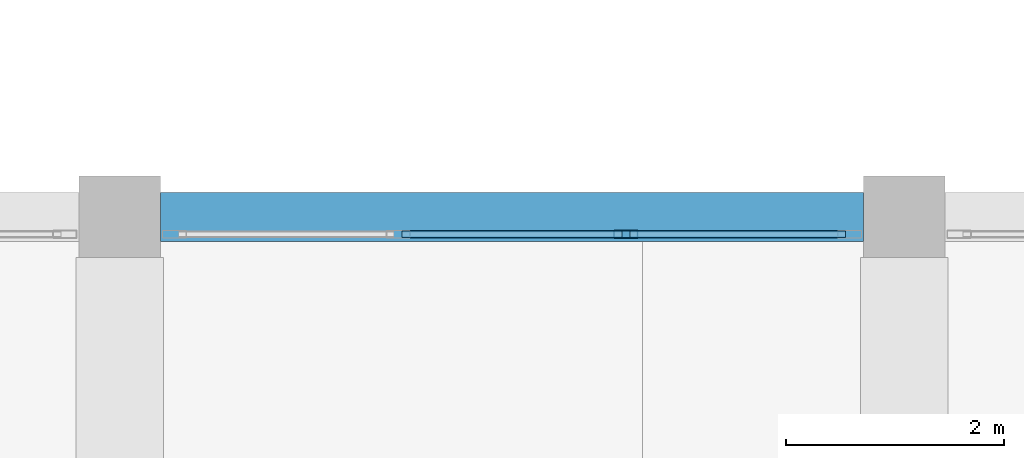
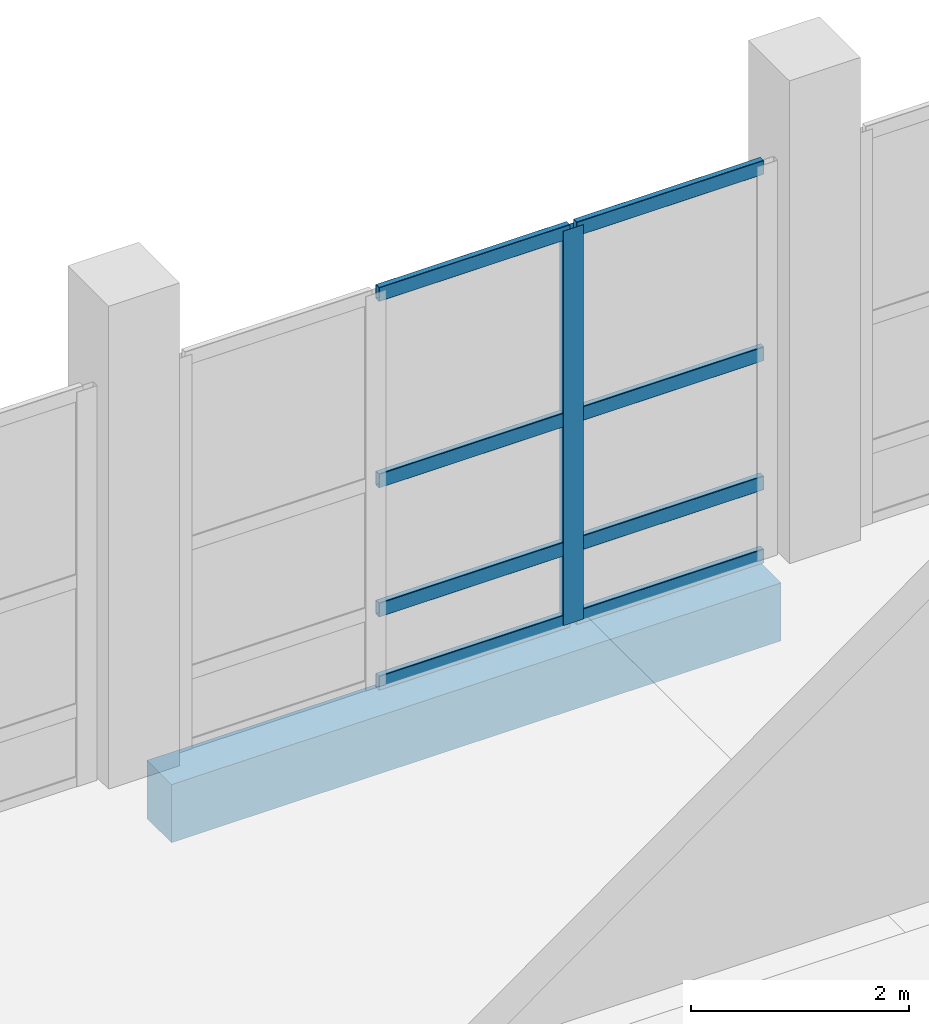
# One storey, part 24 of 137: 9 members, 1 beam, 1 element without a shape of its own.
"""IFC4 building model written with IfcOpenShell, lengths in metres."""

from ifc_helpers import new_model, si_unit, direction, frame, origin, origin_2d, place, context, subcontext, project, spatial, rectangle, hollow_rectangle, extrude, material, material_profile, profile_set, type_object, element, aggregate, save


model = new_model("IFC4")

# Units and contexts
model_context = context("Model", 3, precision=1e-05, world=origin(), true_north=direction((0.0, 1.0)))
body_context = subcontext(model_context, "Body", "Model", "MODEL_VIEW")
ifc_project = project(units=[si_unit("LENGTHUNIT", "METRE"), si_unit("AREAUNIT", "SQUARE_METRE"), si_unit("VOLUMEUNIT", "CUBIC_METRE"), si_unit("PLANEANGLEUNIT", "RADIAN"), si_unit("MASSUNIT", "GRAM", prefix="KILO")], contexts=[model_context])

# Site, building, storey
site_placement = place(None, origin())
site = spatial("IfcSite", under=ifc_project, at=site_placement, CompositionType="ELEMENT")
building_placement = place(site_placement, origin())
building = spatial("IfcBuilding", under=site, at=building_placement, Name="Kalmorath City Hall", CompositionType="ELEMENT")
storey_placement = place(building_placement, origin())
storey = spatial("IfcBuildingStorey", under=building, at=storey_placement, Name="L00", CompositionType="ELEMENT", Elevation=0.0)

# Beam
ifc_material_1 = material(Name="Concrete C40/50", Category="concrete")
ifc_material_profile_1 = material_profile(ifc_material_1, rectangle(XDim=0.449951171875, YDim=0.64990234375, at=origin_2d()), Name="RC-BM-450X650")
ifc_profile_set_1 = profile_set([ifc_material_profile_1], Name="Concrete C40/50")
beam_type = type_object("IfcBeamType", Name="Concrete spandrel beam 450x650", PredefinedType="SPANDREL", material=ifc_profile_set_1)
beam_placement = place(storey_placement, frame((57.97509765625, 43.199951171875, -0.62890625), z_axis=(1.0, 0.0, 0.0), x_axis=(0.0, 1.0, 0.0)))
element("IfcBeam", 1, at=beam_placement, inside=storey, type_object=beam_type, Name="L00 girder CB5 X9-10/7", PredefinedType="SPANDREL", context=body_context, shape_type="SweptSolid", body=[
    extrude(rectangle(XDim=0.449951171875, YDim=0.64990234375, at=origin_2d()), origin(), (0.0, 0.0, 1.0), 6.449951171875),
])

# Curtain wall, members
ifc_material_2 = material(Name="Anodised aluminium and laminated glass", Category="aluminium")
curtain_wall_type = type_object("IfcCurtainWallType", Name="Unitised hurricane curtain wall 6270x4411 M1800", PredefinedType="NOTDEFINED", material=ifc_material_2)
curtain_wall_placement = place(storey_placement, origin())
curtain_wall = element("IfcCurtainWall", 2, at=curtain_wall_placement, inside=storey, type_object=curtain_wall_type, Name="L00 curtain wall CW-63X44M18 #31", PredefinedType="NOTDEFINED")
ifc_material_3 = material(Name="Anodised aluminium framing", Category="aluminium")
ifc_material_profile_2 = material_profile(ifc_material_3, hollow_rectangle(XDim=0.074951171875, YDim=0.219970703125, WallThickness=0.00390625, InnerFilletRadius=0.00390625, OuterFilletRadius=0.008056640625, at=origin_2d()), Name="ALU-MUL-220X75X4")
ifc_profile_set_2 = profile_set([ifc_material_profile_2], Name="Anodised aluminium framing")
member_type_1 = type_object("IfcMemberType", Name="Curtain-wall primary mullion 220x75", PredefinedType="MULLION", material=ifc_profile_set_2)
member_1_placement = place(storey_placement, frame((62.2451171875, 43.0400390625, 0.0), z_axis=(0.0, 0.0, 1.0), x_axis=(0.0, 1.0, 0.0)))
member_1 = element("IfcMember", 3, at=member_1_placement, type_object=member_type_1, Name="CW-63X44M18 mullion 3", PredefinedType="MULLION", context=body_context, shape_type="SweptSolid", body=[
    extrude(hollow_rectangle(XDim=0.074951171875, YDim=0.219970703125, WallThickness=0.00390625, InnerFilletRadius=0.00390625, OuterFilletRadius=0.008056640625, at=origin_2d()), origin(), (0.0, 0.0, 1.0), 4.410888671875),
])
ifc_material_4 = material(Name="Anodised aluminium framing", Category="aluminium")
ifc_material_profile_3 = material_profile(ifc_material_4, hollow_rectangle(XDim=0.06494140625, YDim=0.159912109375, WallThickness=0.00390625, InnerFilletRadius=0.00390625, OuterFilletRadius=0.008056640625, at=origin_2d()), Name="ALU-TRN-160X65X4")
ifc_profile_set_3 = profile_set([ifc_material_profile_3], Name="Anodised aluminium framing")
member_type_2 = type_object("IfcMemberType", Name="Curtain-wall primary transom 160x65", PredefinedType="USERDEFINED", material=ifc_profile_set_3)
member_2_placement = place(storey_placement, frame((60.1923828125, 43.0400390625, 0.032470703125), z_axis=(1.0, 0.0, 0.0), x_axis=(0.0, 1.0, 0.0)))
member_2 = element("IfcMember", 4, at=member_2_placement, type_object=member_type_2, Name="CW-63X44M18 transom 2.1", ObjectType="TRANSOM", PredefinedType="USERDEFINED", context=body_context, shape_type="SweptSolid", body=[
    extrude(hollow_rectangle(XDim=0.06494140625, YDim=0.159912109375, WallThickness=0.00390625, InnerFilletRadius=0.00390625, OuterFilletRadius=0.008056640625, at=origin_2d()), origin(), (0.0, 0.0, 1.0), 2.01513671875),
])
member_3_placement = place(storey_placement, frame((60.1923828125, 43.0400390625, 0.85009765625), z_axis=(1.0, 0.0, 0.0), x_axis=(0.0, 1.0, 0.0)))
member_3 = element("IfcMember", 5, at=member_3_placement, type_object=member_type_2, Name="CW-63X44M18 transom 2.2", ObjectType="TRANSOM", PredefinedType="USERDEFINED", context=body_context, shape_type="SweptSolid", body=[
    extrude(hollow_rectangle(XDim=0.06494140625, YDim=0.159912109375, WallThickness=0.00390625, InnerFilletRadius=0.00390625, OuterFilletRadius=0.008056640625, at=origin_2d()), origin(), (0.0, 0.0, 1.0), 2.01513671875),
])
member_4_placement = place(storey_placement, frame((60.1923828125, 43.0400390625, 2.2939453125), z_axis=(1.0, 0.0, 0.0), x_axis=(0.0, 1.0, 0.0)))
member_4 = element("IfcMember", 6, at=member_4_placement, type_object=member_type_2, Name="CW-63X44M18 transom 2.3", ObjectType="TRANSOM", PredefinedType="USERDEFINED", context=body_context, shape_type="SweptSolid", body=[
    extrude(hollow_rectangle(XDim=0.06494140625, YDim=0.159912109375, WallThickness=0.00390625, InnerFilletRadius=0.00390625, OuterFilletRadius=0.008056640625, at=origin_2d()), origin(), (0.0, 0.0, 1.0), 2.01513671875),
])
member_5_placement = place(storey_placement, frame((60.1923828125, 43.0400390625, 4.37841796875), z_axis=(1.0, 0.0, 0.0), x_axis=(0.0, 1.0, 0.0)))
member_5 = element("IfcMember", 7, at=member_5_placement, type_object=member_type_2, Name="CW-63X44M18 transom 2.4", ObjectType="TRANSOM", PredefinedType="USERDEFINED", context=body_context, shape_type="SweptSolid", body=[
    extrude(hollow_rectangle(XDim=0.06494140625, YDim=0.159912109375, WallThickness=0.00390625, InnerFilletRadius=0.00390625, OuterFilletRadius=0.008056640625, at=origin_2d()), origin(), (0.0, 0.0, 1.0), 2.01513671875),
])
member_6_placement = place(storey_placement, frame((62.282470703125, 43.0400390625, 0.032470703125), z_axis=(1.0, 0.0, 0.0), x_axis=(0.0, 1.0, 0.0)))
member_6 = element("IfcMember", 8, at=member_6_placement, type_object=member_type_2, Name="CW-63X44M18 transom 3.1", ObjectType="TRANSOM", PredefinedType="USERDEFINED", context=body_context, shape_type="SweptSolid", body=[
    extrude(hollow_rectangle(XDim=0.06494140625, YDim=0.159912109375, WallThickness=0.00390625, InnerFilletRadius=0.00390625, OuterFilletRadius=0.008056640625, at=origin_2d()), origin(), (0.0, 0.0, 1.0), 1.9775390625),
])
member_7_placement = place(storey_placement, frame((62.282470703125, 43.0400390625, 0.85009765625), z_axis=(1.0, 0.0, 0.0), x_axis=(0.0, 1.0, 0.0)))
member_7 = element("IfcMember", 9, at=member_7_placement, type_object=member_type_2, Name="CW-63X44M18 transom 3.2", ObjectType="TRANSOM", PredefinedType="USERDEFINED", context=body_context, shape_type="SweptSolid", body=[
    extrude(hollow_rectangle(XDim=0.06494140625, YDim=0.159912109375, WallThickness=0.00390625, InnerFilletRadius=0.00390625, OuterFilletRadius=0.008056640625, at=origin_2d()), origin(), (0.0, 0.0, 1.0), 1.9775390625),
])
member_8_placement = place(storey_placement, frame((62.282470703125, 43.0400390625, 2.2939453125), z_axis=(1.0, 0.0, 0.0), x_axis=(0.0, 1.0, 0.0)))
member_8 = element("IfcMember", 10, at=member_8_placement, type_object=member_type_2, Name="CW-63X44M18 transom 3.3", ObjectType="TRANSOM", PredefinedType="USERDEFINED", context=body_context, shape_type="SweptSolid", body=[
    extrude(hollow_rectangle(XDim=0.06494140625, YDim=0.159912109375, WallThickness=0.00390625, InnerFilletRadius=0.00390625, OuterFilletRadius=0.008056640625, at=origin_2d()), origin(), (0.0, 0.0, 1.0), 1.9775390625),
])
member_9_placement = place(storey_placement, frame((62.282470703125, 43.0400390625, 4.37841796875), z_axis=(1.0, 0.0, 0.0), x_axis=(0.0, 1.0, 0.0)))
member_9 = element("IfcMember", 11, at=member_9_placement, type_object=member_type_2, Name="CW-63X44M18 transom 3.4", ObjectType="TRANSOM", PredefinedType="USERDEFINED", context=body_context, shape_type="SweptSolid", body=[
    extrude(hollow_rectangle(XDim=0.06494140625, YDim=0.159912109375, WallThickness=0.00390625, InnerFilletRadius=0.00390625, OuterFilletRadius=0.008056640625, at=origin_2d()), origin(), (0.0, 0.0, 1.0), 1.9775390625),
])
aggregate(curtain_wall, [member_1, member_2, member_3, member_4, member_5, member_6, member_7, member_8, member_9])

save(model, "model.ifc")
